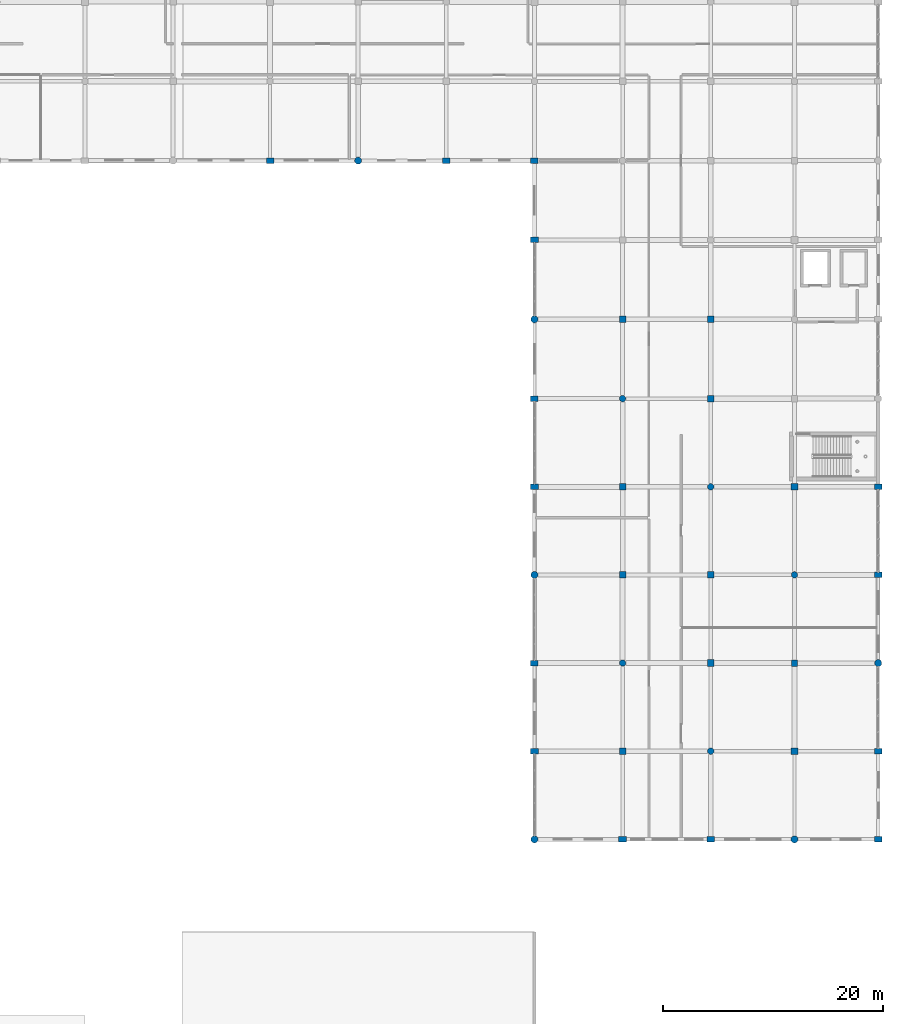
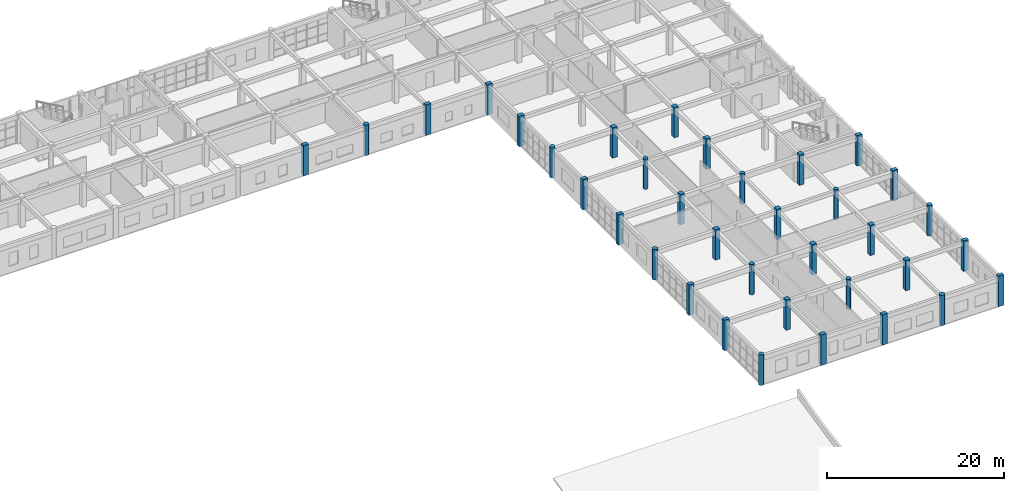
# One storey, part 4 of 53: 36 columns.
"""IFC4 building model written with IfcOpenShell, lengths in metres."""

import ifcopenshell
import ifcopenshell.guid

model = None  # the IFC model being written
_history = None  # IfcOwnerHistory: only IFC2X3 demands one
_inside = {}  # id of a spatial element -> (the spatial element, [elements in it])
_under = {}  # id of a project, library or spatial element -> (it, [spatial elements below it])
_declared = {}  # id of a project -> (the project, [libraries it declares])
_typed = {}  # id of a type object -> (the type object, [elements of that type])
_made_of = {}  # id of a material, layer set ... -> (it, [elements and type objects made of it])


def new_model(schema):
    """Start an empty IFC model of exactly this schema.

    Asked for "IFC4X3", IfcOpenShell would pick the latest addendum, in which some entities
    have other attributes; the version numbers below select the first issue.
    IFC2X3 requires an IfcOwnerHistory on every rooted entity: one is made here for all.
    """
    global model, _history
    if schema == "IFC4X3":
        model = ifcopenshell.file(schema_version=(4, 3, 0, 0))
    else:
        model = ifcopenshell.file(schema=schema)
    _inside.clear()
    _under.clear()
    _declared.clear()
    _typed.clear()
    _made_of.clear()
    _history = None
    if model.schema == "IFC2X3":
        org = make("IfcOrganization", Name="unknown")
        user = make(
            "IfcPersonAndOrganization",
            ThePerson=make("IfcPerson", FamilyName="unknown"),
            TheOrganization=org,
        )
        app = make(
            "IfcApplication",
            ApplicationDeveloper=org,
            Version="unknown",
            ApplicationFullName="unknown",
            ApplicationIdentifier="unknown",
        )
        _history = make(
            "IfcOwnerHistory",
            OwningUser=user,
            OwningApplication=app,
            ChangeAction="ADDED",
            CreationDate=0,
        )
    return model


def make(cls, **values):
    """One entity of the class cls with the attributes given. An attribute that is None is left unset."""
    return model.create_entity(
        cls, **{name: value for name, value in values.items() if value is not None}
    )


def rooted(cls, **values):
    """An entity with a GlobalId (a new one), such as an element, a storey or a relation."""
    return make(cls, GlobalId=ifcopenshell.guid.new(), OwnerHistory=_history, **values)


def si_unit(unit_type, name, prefix=None):
    """IfcSIUnit, for example si_unit("LENGTHUNIT", "METRE", prefix="MILLI")."""
    return make("IfcSIUnit", UnitType=unit_type, Prefix=prefix, Name=name)


def assignment(units):
    """IfcUnitAssignment: the units of a project."""
    return None if units is None else make("IfcUnitAssignment", Units=units)


def point(xyz):
    """IfcCartesianPoint."""
    return None if xyz is None else make("IfcCartesianPoint", Coordinates=xyz)


def direction(xyz):
    """IfcDirection."""
    return None if xyz is None else make("IfcDirection", DirectionRatios=xyz)


def frame(location, z_axis=None, x_axis=None):
    """IfcAxis2Placement3D, a coordinate frame: its origin and axes. An axis left out is left unset."""
    return make(
        "IfcAxis2Placement3D",
        Location=point(location),
        Axis=direction(z_axis),
        RefDirection=direction(x_axis),
    )


def frame_2d(location, x_axis=None):
    """IfcAxis2Placement2D, a coordinate frame in the plane: its origin and x axis."""
    return make(
        "IfcAxis2Placement2D", Location=point(location), RefDirection=direction(x_axis)
    )


def origin():
    """The frame at (0, 0, 0) with its axes left unset."""
    return frame((0.0, 0.0, 0.0))


def origin_2d():
    """The frame at (0, 0) in the plane with its x axis left unset."""
    return frame_2d((0.0, 0.0))


def place(relative_to, where):
    """IfcLocalPlacement: puts the frame where relative to a parent placement (None: the world)."""
    return make(
        "IfcLocalPlacement", PlacementRelTo=relative_to, RelativePlacement=where
    )


def context(
    kind, dimensions, precision=None, world=None, true_north=None, identifier=None
):
    """IfcGeometricRepresentationContext, for example the 3D "Model" context."""
    return make(
        "IfcGeometricRepresentationContext",
        ContextIdentifier=identifier,
        ContextType=kind,
        CoordinateSpaceDimension=dimensions,
        Precision=precision,
        WorldCoordinateSystem=world,
        TrueNorth=true_north,
    )


def subcontext(parent, identifier, kind, view, scale=None):
    """IfcGeometricRepresentationSubContext, for example "Body" below "Model"."""
    return make(
        "IfcGeometricRepresentationSubContext",
        ContextIdentifier=identifier,
        ContextType=kind,
        ParentContext=parent,
        TargetScale=scale,
        TargetView=view,
    )


def project(units=None, contexts=None):
    """IfcProject with its units and contexts."""
    return rooted(
        "IfcProject",
        Name="project",
        RepresentationContexts=contexts,
        UnitsInContext=assignment(units),
    )


def spatial(cls, under=None, at=None, **own):
    """A site, building, storey or space (cls), placed at a placement, below another one or the project."""
    s = rooted(cls, ObjectPlacement=at, **own)
    if under is not None:
        _under.setdefault(under.id(), (under, []))[1].append(s)
    return s


def profile(cls, at=None, kind="AREA", **sizes):
    """A parametric profile (cls). Its sizes go by their IFC names, for example OverallWidth=200.0."""
    return make(cls, ProfileType=kind, Position=at, **sizes)


def rectangle(**sizes):
    """IfcRectangleProfileDef."""
    return profile("IfcRectangleProfileDef", **sizes)


def circle(**sizes):
    """IfcCircleProfileDef."""
    return profile("IfcCircleProfileDef", **sizes)


def extrude(swept, where, along, depth):
    """IfcExtrudedAreaSolid: the profile swept, set in the frame where, extruded along a direction by depth."""
    return make(
        "IfcExtrudedAreaSolid",
        SweptArea=swept,
        Position=where,
        ExtrudedDirection=direction(along),
        Depth=depth,
    )


def shape(context_of_items, identifier, shape_type, items):
    """IfcShapeRepresentation: the items that make up one representation, for example the "Body"."""
    return make(
        "IfcShapeRepresentation",
        ContextOfItems=context_of_items,
        RepresentationIdentifier=identifier,
        RepresentationType=shape_type,
        Items=items,
    )


def material(Name=None, Category=None):
    """IfcMaterial."""
    return make("IfcMaterial", Name=Name, Category=Category)


def material_profile(
    of_material, cross_section, Name=None, Category=None, Priority=None
):
    """IfcMaterialProfile: a cross section and its material."""
    return make(
        "IfcMaterialProfile",
        Name=Name,
        Material=of_material,
        Profile=cross_section,
        Priority=Priority,
        Category=Category,
    )


def profile_set(profiles, Name=None, composite=None):
    """IfcMaterialProfileSet."""
    return make(
        "IfcMaterialProfileSet",
        Name=Name,
        MaterialProfiles=profiles,
        CompositeProfile=composite,
    )


def made_of(thing, what):
    """Note that an element or type object is made of a material, layer set ...; save() writes the relation."""
    if what is not None:
        _made_of.setdefault(what.id(), (what, []))[1].append(thing)
    return thing


def type_object(cls, material=None, **own):
    """A type object (cls), such as IfcWallType, which elements share."""
    return made_of(rooted(cls, **own), material)


def element(
    cls,
    number,
    at=None,
    inside=None,
    cuts=None,
    type_object=None,
    material=None,
    context=None,
    identifier="Body",
    shape_type=None,
    held_by="IfcProductDefinitionShape",
    body=None,
    shapes=None,
    **own,
):
    """One element of the class cls, such as IfcWall. Its Tag is "e" and its number.

    at: its placement. inside: the storey or other place that contains it. cuts: it is an
    opening in that element (IfcRelVoidsElement). A single representation is given by context,
    identifier, shape_type and body (its items); several are given by shapes. held_by: the class
    of the entity that holds the representations. save() writes the other relations.
    """
    e = rooted(cls, Tag="e%d" % number, ObjectPlacement=at, **own)
    if body is not None:
        shapes = [shape(context, identifier, shape_type, body)]
    if shapes is not None:
        e.Representation = make(held_by, Representations=shapes)
    if inside is not None:
        _inside.setdefault(inside.id(), (inside, []))[1].append(e)
    if cuts is not None:
        rooted(
            "IfcRelVoidsElement", RelatingBuildingElement=cuts, RelatedOpeningElement=e
        )
    if type_object is not None:
        _typed.setdefault(type_object.id(), (type_object, []))[1].append(e)
    return made_of(e, material)


def aggregate(whole, parts):
    """IfcRelAggregates: a whole, such as a stair, and the parts it consists of."""
    return rooted("IfcRelAggregates", RelatingObject=whole, RelatedObjects=parts)


def save(model, path):
    """Write the relations noted so far, then the file.

    IfcRelAggregates (storeys below a building ...), IfcRelContainedInSpatialStructure (elements
    in a storey), IfcRelDefinesByType, IfcRelAssociatesMaterial and IfcRelDeclares: one each for
    every whole, place, type object, material and project.
    """
    for whole, parts in _under.values():
        aggregate(whole, parts)
    for where, things in _inside.values():
        rooted(
            "IfcRelContainedInSpatialStructure",
            RelatedElements=things,
            RelatingStructure=where,
        )
    for kind, things in _typed.values():
        rooted("IfcRelDefinesByType", RelatedObjects=things, RelatingType=kind)
    for what, things in _made_of.values():
        rooted("IfcRelAssociatesMaterial", RelatedObjects=things, RelatingMaterial=what)
    for by, libraries in _declared.values():
        rooted("IfcRelDeclares", RelatingContext=by, RelatedDefinitions=libraries)
    model.write(path)


model = new_model("IFC4")

# Units and contexts
model_context = context("Model", 3, precision=1e-05, world=origin(), true_north=direction((0.0, 1.0)))
body_context = subcontext(model_context, "Body", "Model", "MODEL_VIEW")
ifc_project = project(units=[si_unit("LENGTHUNIT", "METRE"), si_unit("AREAUNIT", "SQUARE_METRE"), si_unit("VOLUMEUNIT", "CUBIC_METRE"), si_unit("PLANEANGLEUNIT", "RADIAN"), si_unit("MASSUNIT", "GRAM", prefix="KILO")], contexts=[model_context])

# Site, building, storey
site_placement = place(None, origin())
site = spatial("IfcSite", under=ifc_project, at=site_placement, CompositionType="ELEMENT")
building_placement = place(site_placement, origin())
building = spatial("IfcBuilding", under=site, at=building_placement, Name="Kharva Crest Polytechnic", CompositionType="ELEMENT")
storey_placement = place(building_placement, frame((0.0, 0.0, 17.39990234375)))
storey = spatial("IfcBuildingStorey", under=building, at=storey_placement, Name="L04", CompositionType="ELEMENT", Elevation=17.39990234375)

# Columns
ifc_material = material(Name="Concrete C40/50", Category="concrete")
ifc_material_profile_1 = material_profile(ifc_material, rectangle(XDim=0.679931640625, YDim=0.5, at=origin_2d()), Name="RECT 680 X 500")
ifc_profile_set_1 = profile_set([ifc_material_profile_1], Name="Concrete C40/50")
column_type_1 = type_object("IfcColumnType", Name="COL-EXT-680X500", PredefinedType="COLUMN", material=ifc_profile_set_1)
for number, where, z_axis, x_axis, name in (
    (1, (128.800048828125, 100.39990234375, 0.0), (0.0, 0.0, 1.0), (1.0, 0.0, 0.0), "L04 Column 17/P"),
    (2, (152.800048828125, 54.800048828125, 0.0), (0.0, 0.0, 1.0), (1.0, 0.0, 0.0), "L04 Column 20/H"),
    (3, (152.800048828125, 78.800048828125, 0.0), (0.0, 0.0, 1.0), (1.0, 0.0, 0.0), "L04 Column 20/L"),
    (4, (152.800048828125, 100.39990234375, 0.0), (0.0, 0.0, 1.0), (1.0, 0.0, 0.0), "L04 Column 20/P"),
    (5, (168.800048828125, 38.800048828125, 0.0), (0.0, 0.0, 1.0), (1.0, 0.0, 0.0), "L04 Column 22/FJ"),
    (6, (184.0, 46.800048828125, 0.0), (0.0, 0.0, 1.0), (1.0, 0.0, 0.0), "L04 Column 24/G"),
    (7, (184.0, 70.800048828125, 0.0), (0.0, 0.0, 1.0), (1.0, 0.0, 0.0), "L04 Column 24/K"),
):
    element("IfcColumn", number, at=place(storey_placement, frame(where, z_axis=z_axis, x_axis=x_axis)), inside=storey, type_object=column_type_1, Name=name, PredefinedType="COLUMN", context=body_context, shape_type="SweptSolid", body=[
        extrude(rectangle(XDim=0.679931640625, YDim=0.5, at=origin_2d()), origin(), (0.0, 0.0, 1.0), 4.2001953125),
    ])
ifc_material_profile_2 = material_profile(ifc_material, rectangle(XDim=0.699951171875, YDim=0.5, at=origin_2d()), Name="RECT 700 X 500")
ifc_profile_set_2 = profile_set([ifc_material_profile_2], Name="Concrete C40/50")
column_type_2 = type_object("IfcColumnType", Name="COL-EXT-700X500", PredefinedType="COLUMN", material=ifc_profile_set_2)
for number, where, z_axis, x_axis, name in (
    (8, (144.800048828125, 100.39990234375, 0.0), (0.0, 0.0, 1.0), (1.0, 0.0, 0.0), "L04 Column 19/P"),
    (9, (152.800048828125, 46.800048828125, 0.0), (0.0, 0.0, 1.0), (1.0, 0.0, 0.0), "L04 Column 20/G"),
    (10, (152.800048828125, 70.800048828125, 0.0), (0.0, 0.0, 1.0), (1.0, 0.0, 0.0), "L04 Column 20/K"),
    (11, (152.800048828125, 93.199951171875, 0.0), (0.0, 0.0, 1.0), (1.0, 0.0, 0.0), "L04 Column 20/N"),
    (12, (160.800048828125, 38.800048828125, 0.0), (0.0, 0.0, 1.0), (1.0, 0.0, 0.0), "L04 Column 21/FJ"),
    (13, (184.0, 38.800048828125, 0.0), (0.0, 0.0, 1.0), (1.0, 0.0, 0.0), "L04 Column 24/FJ"),
    (14, (184.0, 62.800048828125, 0.0), (0.0, 0.0, 1.0), (1.0, 0.0, 0.0), "L04 Column 24/J"),
):
    element("IfcColumn", number, at=place(storey_placement, frame(where, z_axis=z_axis, x_axis=x_axis)), inside=storey, type_object=column_type_2, Name=name, PredefinedType="COLUMN", context=body_context, shape_type="SweptSolid", body=[
        extrude(rectangle(XDim=0.699951171875, YDim=0.5, at=origin_2d()), origin(), (0.0, 0.0, 1.0), 4.2001953125),
    ])
ifc_material_profile_3 = material_profile(ifc_material, circle(Radius=0.320068359375, at=origin_2d()), Name="DIA 640")
ifc_profile_set_3 = profile_set([ifc_material_profile_3], Name="Concrete C40/50")
column_type_3 = type_object("IfcColumnType", Name="COL-EXT-DIA640", PredefinedType="COLUMN", material=ifc_profile_set_3)
for number, where, z_axis, x_axis, name in (
    (15, (136.800048828125, 100.39990234375, 0.0), (0.0, 0.0, 1.0), (1.0, 0.0, 0.0), "L04 Column 18/P"),
    (16, (152.800048828125, 38.800048828125, 0.0), (0.0, 0.0, 1.0), (1.0, 0.0, 0.0), "L04 Column 20/FJ"),
    (17, (152.800048828125, 62.800048828125, 0.0), (0.0, 0.0, 1.0), (1.0, 0.0, 0.0), "L04 Column 20/J"),
    (18, (152.800048828125, 86.0, 0.0), (0.0, 0.0, 1.0), (1.0, 0.0, 0.0), "L04 Column 20/M"),
    (19, (176.39990234375, 38.800048828125, 0.0), (0.0, 0.0, 1.0), (1.0, 0.0, 0.0), "L04 Column 23/FJ"),
    (20, (184.0, 54.800048828125, 0.0), (0.0, 0.0, 1.0), (1.0, 0.0, 0.0), "L04 Column 24/H"),
):
    element("IfcColumn", number, at=place(storey_placement, frame(where, z_axis=z_axis, x_axis=x_axis)), inside=storey, type_object=column_type_3, Name=name, PredefinedType="COLUMN", context=body_context, shape_type="SweptSolid", body=[
        extrude(circle(Radius=0.320068359375, at=origin_2d()), origin(), (0.0, 0.0, 1.0), 4.2001953125),
    ])
ifc_material_profile_4 = material_profile(ifc_material, rectangle(XDim=0.580078125, YDim=0.580078125, at=origin_2d()), Name="RECT 580 X 580")
ifc_profile_set_4 = profile_set([ifc_material_profile_4], Name="Concrete C40/50")
column_type_4 = type_object("IfcColumnType", Name="COL-INT-580X580", PredefinedType="COLUMN", material=ifc_profile_set_4)
for number, where, z_axis, x_axis, name in (
    (21, (160.800048828125, 46.800048828125, 0.0), (0.0, 0.0, 1.0), (1.0, 0.0, 0.0), "L04 Column 21/G"),
    (22, (160.800048828125, 70.800048828125, 0.0), (0.0, 0.0, 1.0), (1.0, 0.0, 0.0), "L04 Column 21/K"),
    (23, (168.800048828125, 62.800048828125, 0.0), (0.0, 0.0, 1.0), (1.0, 0.0, 0.0), "L04 Column 22/J"),
    (24, (168.800048828125, 86.0, 0.0), (0.0, 0.0, 1.0), (1.0, 0.0, 0.0), "L04 Column 22/M"),
    (25, (176.39990234375, 54.800048828125, 0.0), (0.0, 0.0, 1.0), (1.0, 0.0, 0.0), "L04 Column 23/H"),
):
    element("IfcColumn", number, at=place(storey_placement, frame(where, z_axis=z_axis, x_axis=x_axis)), inside=storey, type_object=column_type_4, Name=name, PredefinedType="COLUMN", context=body_context, shape_type="SweptSolid", body=[
        extrude(rectangle(XDim=0.580078125, YDim=0.580078125, at=origin_2d()), origin(), (0.0, 0.0, 1.0), 4.2001953125),
    ])
ifc_material_profile_5 = material_profile(ifc_material, rectangle(XDim=0.60009765625, YDim=0.60009765625, at=origin_2d()), Name="RECT 600 X 600")
ifc_profile_set_5 = profile_set([ifc_material_profile_5], Name="Concrete C40/50")
column_type_5 = type_object("IfcColumnType", Name="COL-INT-600X600", PredefinedType="COLUMN", material=ifc_profile_set_5)
for number, where, z_axis, x_axis, name in (
    (26, (160.800048828125, 62.800048828125, 0.0), (0.0, 0.0, 1.0), (1.0, 0.0, 0.0), "L04 Column 21/J"),
    (27, (160.800048828125, 86.0, 0.0), (0.0, 0.0, 1.0), (1.0, 0.0, 0.0), "L04 Column 21/M"),
    (28, (168.800048828125, 54.800048828125, 0.0), (0.0, 0.0, 1.0), (1.0, 0.0, 0.0), "L04 Column 22/H"),
    (29, (168.800048828125, 78.800048828125, 0.0), (0.0, 0.0, 1.0), (1.0, 0.0, 0.0), "L04 Column 22/L"),
    (30, (176.39990234375, 46.800048828125, 0.0), (0.0, 0.0, 1.0), (1.0, 0.0, 0.0), "L04 Column 23/G"),
    (31, (176.39990234375, 70.800048828125, 0.0), (0.0, 0.0, 1.0), (1.0, 0.0, 0.0), "L04 Column 23/K"),
):
    element("IfcColumn", number, at=place(storey_placement, frame(where, z_axis=z_axis, x_axis=x_axis)), inside=storey, type_object=column_type_5, Name=name, PredefinedType="COLUMN", context=body_context, shape_type="SweptSolid", body=[
        extrude(rectangle(XDim=0.60009765625, YDim=0.60009765625, at=origin_2d()), origin(), (0.0, 0.0, 1.0), 4.2001953125),
    ])
ifc_material_profile_6 = material_profile(ifc_material, circle(Radius=0.2900390625, at=origin_2d()), Name="DIA 580")
ifc_profile_set_6 = profile_set([ifc_material_profile_6], Name="Concrete C40/50")
column_type_6 = type_object("IfcColumnType", Name="COL-INT-DIA580", PredefinedType="COLUMN", material=ifc_profile_set_6)
for number, where, z_axis, x_axis, name in (
    (32, (160.800048828125, 54.800048828125, 0.0), (0.0, 0.0, 1.0), (1.0, 0.0, 0.0), "L04 Column 21/H"),
    (33, (160.800048828125, 78.800048828125, 0.0), (0.0, 0.0, 1.0), (1.0, 0.0, 0.0), "L04 Column 21/L"),
    (34, (168.800048828125, 46.800048828125, 0.0), (0.0, 0.0, 1.0), (1.0, 0.0, 0.0), "L04 Column 22/G"),
    (35, (168.800048828125, 70.800048828125, 0.0), (0.0, 0.0, 1.0), (1.0, 0.0, 0.0), "L04 Column 22/K"),
    (36, (176.39990234375, 62.800048828125, 0.0), (0.0, 0.0, 1.0), (1.0, 0.0, 0.0), "L04 Column 23/J"),
):
    element("IfcColumn", number, at=place(storey_placement, frame(where, z_axis=z_axis, x_axis=x_axis)), inside=storey, type_object=column_type_6, Name=name, PredefinedType="COLUMN", context=body_context, shape_type="SweptSolid", body=[
        extrude(circle(Radius=0.2900390625, at=origin_2d()), origin(), (0.0, 0.0, 1.0), 4.2001953125),
    ])

save(model, "model.ifc")
